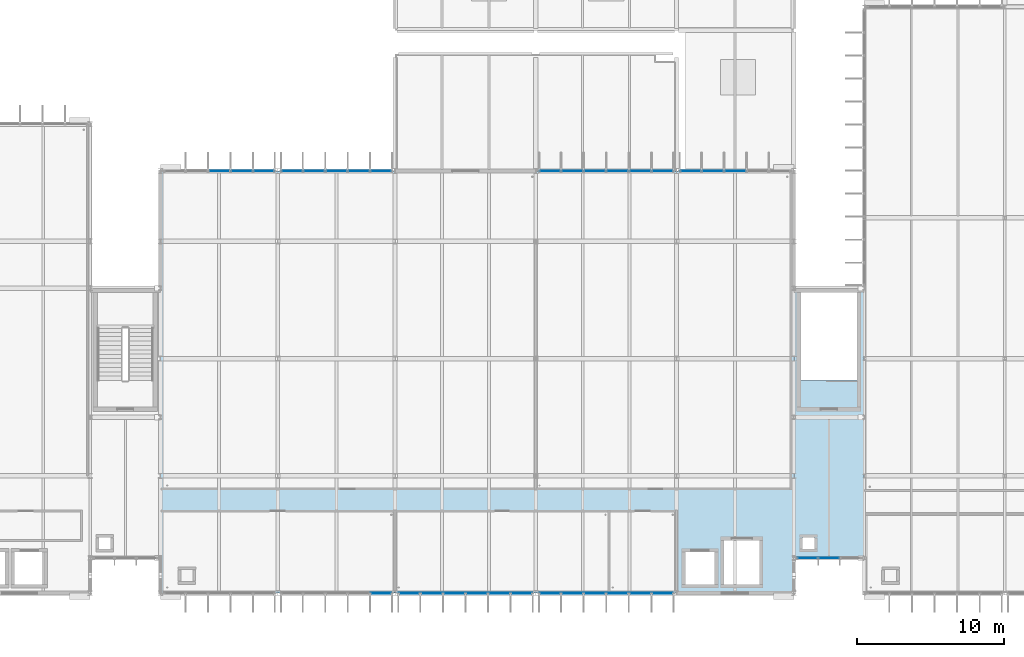
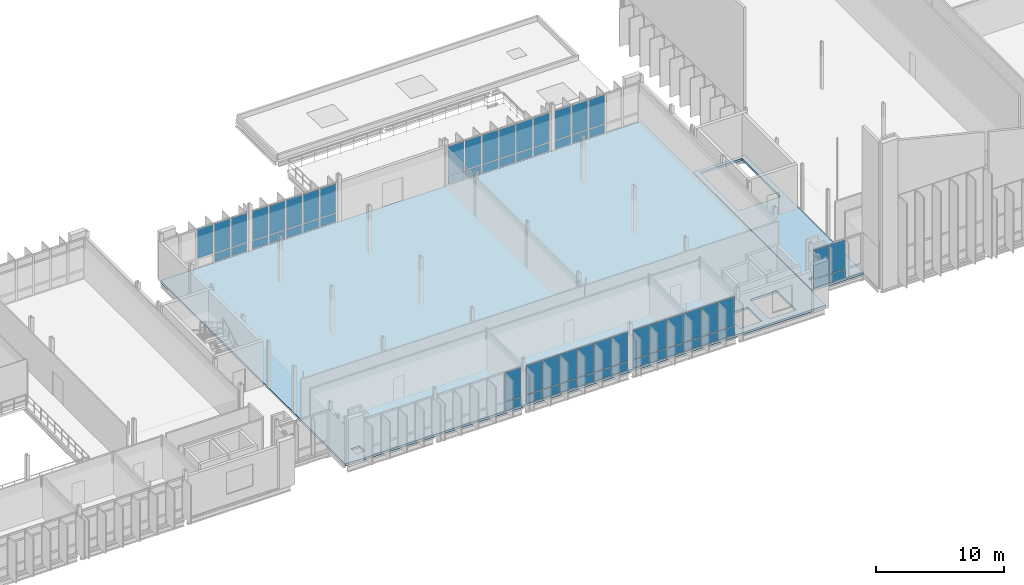
# One storey, part 53 of 110: 63 plates, 2 slabs, 8 elements without a shape of their own.
"""IFC4 building model written with IfcOpenShell, lengths in metres."""

from ifc_helpers import new_model, si_unit, direction, frame, origin, origin_2d, place, context, subcontext, project, spatial, polyline, rectangle, outline, extrude, material, layer, layer_set, type_object, element, aggregate, save


model = new_model("IFC4")

# Units and contexts
model_context = context("Model", 3, precision=1e-05, world=origin(), true_north=direction((0.0, 1.0)))
body_context = subcontext(model_context, "Body", "Model", "MODEL_VIEW")
ifc_project = project(units=[si_unit("LENGTHUNIT", "METRE"), si_unit("AREAUNIT", "SQUARE_METRE"), si_unit("VOLUMEUNIT", "CUBIC_METRE"), si_unit("PLANEANGLEUNIT", "RADIAN"), si_unit("MASSUNIT", "GRAM", prefix="KILO")], contexts=[model_context])

# Site, building, storey
site_placement = place(None, origin())
site = spatial("IfcSite", under=ifc_project, at=site_placement, CompositionType="ELEMENT")
building_placement = place(site_placement, origin())
building = spatial("IfcBuilding", under=site, at=building_placement, Name="Dunescarp Central Library", CompositionType="ELEMENT")
storey_placement = place(building_placement, frame((0.0, 0.0, 9.60009765625)))
storey = spatial("IfcBuildingStorey", under=building, at=storey_placement, Name="L02", CompositionType="ELEMENT", Elevation=9.60009765625)

# Curtain wall, plate
ifc_material_1 = material(Name="Marine-grade anodised aluminium 6063-T6", Category="aluminium")
curtain_wall_type_1 = type_object("IfcCurtainWallType", Name="ARC-CW-STICK", PredefinedType="NOTDEFINED", material=ifc_material_1)
curtain_wall_1_placement = place(storey_placement, origin())
curtain_wall_1 = element("IfcCurtainWall", 1, at=curtain_wall_1_placement, inside=storey, type_object=curtain_wall_type_1, Name="L02 curtain wall CW-V3-091", PredefinedType="NOTDEFINED")
ifc_material_2 = material(Name="Solar-control laminated double glazing", Category="glass")
ifc_layer_1 = layer(ifc_material_2, 0.028076171875)
ifc_layer_set_1 = layer_set([ifc_layer_1], Name="Solar-control laminated double glazing")
plate_type_1 = type_object("IfcPlateType", Name="ARC-PLT-GLZ28", PredefinedType="CURTAIN_PANEL", material=ifc_layer_set_1)
plate_1_placement = place(storey_placement, frame((96.639892578125, 4.800048828125, 0.93994140625), z_axis=(0.0, 0.0, 1.0), x_axis=(-1.0, 0.0, 0.0)))
plate_1 = element("IfcPlate", 2, at=plate_1_placement, type_object=plate_type_1, Name="CW-V3-091 panel 1.2", PredefinedType="CURTAIN_PANEL", context=body_context, shape_type="SweptSolid", body=[
    extrude(rectangle(XDim=1.409912109375, YDim=0.028076171875, at=origin_2d()), origin(), (0.0, 0.0, 1.0), 2.7548828125),
])

# Curtain wall, plates
curtain_wall_2_placement = place(storey_placement, origin())
curtain_wall_2 = element("IfcCurtainWall", 3, at=curtain_wall_2_placement, inside=storey, type_object=curtain_wall_type_1, Name="L02 curtain wall CW-V3-092", PredefinedType="NOTDEFINED")
plate_2_placement = place(storey_placement, frame((106.234130859375, 4.800048828125, 0.93994140625), z_axis=(0.0, 0.0, 1.0), x_axis=(-1.0, 0.0, 0.0)))
plate_2 = element("IfcPlate", 4, at=plate_2_placement, type_object=plate_type_1, Name="CW-V3-092 panel 1.2", PredefinedType="CURTAIN_PANEL", context=body_context, shape_type="SweptSolid", body=[
    extrude(rectangle(XDim=1.421630859375, YDim=0.028076171875, at=origin_2d()), origin(), (0.0, 0.0, 1.0), 2.7548828125),
])
plate_3_placement = place(storey_placement, frame((104.71240234375, 4.800048828125, 0.93994140625), z_axis=(0.0, 0.0, 1.0), x_axis=(-1.0, 0.0, 0.0)))
plate_3 = element("IfcPlate", 5, at=plate_3_placement, type_object=plate_type_1, Name="CW-V3-092 panel 2.2", PredefinedType="CURTAIN_PANEL", context=body_context, shape_type="SweptSolid", body=[
    extrude(rectangle(XDim=1.461669921875, YDim=0.028076171875, at=origin_2d()), origin(), (0.0, 0.0, 1.0), 2.7548828125),
])
plate_4_placement = place(storey_placement, frame((103.1708984375, 4.800048828125, 0.93994140625), z_axis=(0.0, 0.0, 1.0), x_axis=(-1.0, 0.0, 0.0)))
plate_4 = element("IfcPlate", 6, at=plate_4_placement, type_object=plate_type_1, Name="CW-V3-092 panel 3.2", PredefinedType="CURTAIN_PANEL", context=body_context, shape_type="SweptSolid", body=[
    extrude(rectangle(XDim=1.461669921875, YDim=0.028076171875, at=origin_2d()), origin(), (0.0, 0.0, 1.0), 2.7548828125),
])
plate_5_placement = place(storey_placement, frame((101.629150390625, 4.800048828125, 0.93994140625), z_axis=(0.0, 0.0, 1.0), x_axis=(-1.0, 0.0, 0.0)))
plate_5 = element("IfcPlate", 7, at=plate_5_placement, type_object=plate_type_1, Name="CW-V3-092 panel 4.2", PredefinedType="CURTAIN_PANEL", context=body_context, shape_type="SweptSolid", body=[
    extrude(rectangle(XDim=1.461669921875, YDim=0.028076171875, at=origin_2d()), origin(), (0.0, 0.0, 1.0), 2.7548828125),
])
plate_6_placement = place(storey_placement, frame((100.08740234375, 4.800048828125, 0.93994140625), z_axis=(0.0, 0.0, 1.0), x_axis=(-1.0, 0.0, 0.0)))
plate_6 = element("IfcPlate", 8, at=plate_6_placement, type_object=plate_type_1, Name="CW-V3-092 panel 5.2", PredefinedType="CURTAIN_PANEL", context=body_context, shape_type="SweptSolid", body=[
    extrude(rectangle(XDim=1.461669921875, YDim=0.028076171875, at=origin_2d()), origin(), (0.0, 0.0, 1.0), 2.7548828125),
])
plate_7_placement = place(storey_placement, frame((98.56591796875, 4.800048828125, 0.93994140625), z_axis=(0.0, 0.0, 1.0), x_axis=(-1.0, 0.0, 0.0)))
plate_7 = element("IfcPlate", 9, at=plate_7_placement, type_object=plate_type_1, Name="CW-V3-092 panel 6.2", PredefinedType="CURTAIN_PANEL", context=body_context, shape_type="SweptSolid", body=[
    extrude(rectangle(XDim=1.421630859375, YDim=0.028076171875, at=origin_2d()), origin(), (0.0, 0.0, 1.0), 2.7548828125),
])

curtain_wall_3_placement = place(storey_placement, origin())
curtain_wall_3 = element("IfcCurtainWall", 10, at=curtain_wall_3_placement, inside=storey, type_object=curtain_wall_type_1, Name="L02 curtain wall CW-V3-093", PredefinedType="NOTDEFINED")
plate_8_placement = place(storey_placement, frame((115.834228515625, 4.800048828125, 0.93994140625), z_axis=(0.0, 0.0, 1.0), x_axis=(-1.0, 0.0, 0.0)))
plate_8 = element("IfcPlate", 11, at=plate_8_placement, type_object=plate_type_1, Name="CW-V3-093 panel 1.2", PredefinedType="CURTAIN_PANEL", context=body_context, shape_type="SweptSolid", body=[
    extrude(rectangle(XDim=1.421630859375, YDim=0.028076171875, at=origin_2d()), origin(), (0.0, 0.0, 1.0), 2.7548828125),
])
plate_9_placement = place(storey_placement, frame((114.3125, 4.800048828125, 0.93994140625), z_axis=(0.0, 0.0, 1.0), x_axis=(-1.0, 0.0, 0.0)))
plate_9 = element("IfcPlate", 12, at=plate_9_placement, type_object=plate_type_1, Name="CW-V3-093 panel 2.2", PredefinedType="CURTAIN_PANEL", context=body_context, shape_type="SweptSolid", body=[
    extrude(rectangle(XDim=1.461669921875, YDim=0.028076171875, at=origin_2d()), origin(), (0.0, 0.0, 1.0), 2.7548828125),
])
plate_10_placement = place(storey_placement, frame((112.770751953125, 4.800048828125, 0.93994140625), z_axis=(0.0, 0.0, 1.0), x_axis=(-1.0, 0.0, 0.0)))
plate_10 = element("IfcPlate", 13, at=plate_10_placement, type_object=plate_type_1, Name="CW-V3-093 panel 3.2", PredefinedType="CURTAIN_PANEL", context=body_context, shape_type="SweptSolid", body=[
    extrude(rectangle(XDim=1.461669921875, YDim=0.028076171875, at=origin_2d()), origin(), (0.0, 0.0, 1.0), 2.7548828125),
])
plate_11_placement = place(storey_placement, frame((111.229248046875, 4.800048828125, 0.93994140625), z_axis=(0.0, 0.0, 1.0), x_axis=(-1.0, 0.0, 0.0)))
plate_11 = element("IfcPlate", 14, at=plate_11_placement, type_object=plate_type_1, Name="CW-V3-093 panel 4.2", PredefinedType="CURTAIN_PANEL", context=body_context, shape_type="SweptSolid", body=[
    extrude(rectangle(XDim=1.461669921875, YDim=0.028076171875, at=origin_2d()), origin(), (0.0, 0.0, 1.0), 2.7548828125),
])
plate_12_placement = place(storey_placement, frame((109.6875, 4.800048828125, 0.93994140625), z_axis=(0.0, 0.0, 1.0), x_axis=(-1.0, 0.0, 0.0)))
plate_12 = element("IfcPlate", 15, at=plate_12_placement, type_object=plate_type_1, Name="CW-V3-093 panel 5.2", PredefinedType="CURTAIN_PANEL", context=body_context, shape_type="SweptSolid", body=[
    extrude(rectangle(XDim=1.461669921875, YDim=0.028076171875, at=origin_2d()), origin(), (0.0, 0.0, 1.0), 2.7548828125),
])
plate_13_placement = place(storey_placement, frame((108.165771484375, 4.800048828125, 0.93994140625), z_axis=(0.0, 0.0, 1.0), x_axis=(-1.0, 0.0, 0.0)))
plate_13 = element("IfcPlate", 16, at=plate_13_placement, type_object=plate_type_1, Name="CW-V3-093 panel 6.2", PredefinedType="CURTAIN_PANEL", context=body_context, shape_type="SweptSolid", body=[
    extrude(rectangle(XDim=1.421630859375, YDim=0.028076171875, at=origin_2d()), origin(), (0.0, 0.0, 1.0), 2.7548828125),
])

curtain_wall_4_placement = place(storey_placement, origin())
curtain_wall_4 = element("IfcCurtainWall", 17, at=curtain_wall_4_placement, inside=storey, type_object=curtain_wall_type_1, Name="L02 curtain wall CW-V3-094", PredefinedType="NOTDEFINED")
plate_14_placement = place(storey_placement, frame((85.60009765625, 33.60009765625, 0.93994140625), z_axis=(0.0, 0.0, 1.0), x_axis=(1.0, 0.0, 0.0)))
plate_14 = element("IfcPlate", 18, at=plate_14_placement, type_object=plate_type_1, Name="CW-V3-094 panel 3.2", PredefinedType="CURTAIN_PANEL", context=body_context, shape_type="SweptSolid", body=[
    extrude(rectangle(XDim=1.449951171875, YDim=0.028076171875, at=origin_2d()), origin(), (0.0, 0.0, 1.0), 2.7548828125),
])
plate_15_placement = place(storey_placement, frame((87.1298828125, 33.60009765625, 0.93994140625), z_axis=(0.0, 0.0, 1.0), x_axis=(1.0, 0.0, 0.0)))
plate_15 = element("IfcPlate", 19, at=plate_15_placement, type_object=plate_type_1, Name="CW-V3-094 panel 4.2", PredefinedType="CURTAIN_PANEL", context=body_context, shape_type="SweptSolid", body=[
    extrude(rectangle(XDim=1.449951171875, YDim=0.028076171875, at=origin_2d()), origin(), (0.0, 0.0, 1.0), 2.7548828125),
])
plate_16_placement = place(storey_placement, frame((88.639892578125, 33.60009765625, 0.93994140625), z_axis=(0.0, 0.0, 1.0), x_axis=(1.0, 0.0, 0.0)))
plate_16 = element("IfcPlate", 20, at=plate_16_placement, type_object=plate_type_1, Name="CW-V3-094 panel 5.2", PredefinedType="CURTAIN_PANEL", context=body_context, shape_type="SweptSolid", body=[
    extrude(rectangle(XDim=1.409912109375, YDim=0.028076171875, at=origin_2d()), origin(), (0.0, 0.0, 1.0), 2.7548828125),
])

curtain_wall_5_placement = place(storey_placement, origin())
curtain_wall_5 = element("IfcCurtainWall", 21, at=curtain_wall_5_placement, inside=storey, type_object=curtain_wall_type_1, Name="L02 curtain wall CW-V3-095", PredefinedType="NOTDEFINED")
plate_17_placement = place(storey_placement, frame((90.56005859375, 33.60009765625, 0.93994140625), z_axis=(0.0, 0.0, 1.0), x_axis=(1.0, 0.0, 0.0)))
plate_17 = element("IfcPlate", 22, at=plate_17_placement, type_object=plate_type_1, Name="CW-V3-095 panel 1.2", PredefinedType="CURTAIN_PANEL", context=body_context, shape_type="SweptSolid", body=[
    extrude(rectangle(XDim=1.409912109375, YDim=0.028076171875, at=origin_2d()), origin(), (0.0, 0.0, 1.0), 2.7548828125),
])
plate_18_placement = place(storey_placement, frame((92.070068359375, 33.60009765625, 0.93994140625), z_axis=(0.0, 0.0, 1.0), x_axis=(1.0, 0.0, 0.0)))
plate_18 = element("IfcPlate", 23, at=plate_18_placement, type_object=plate_type_1, Name="CW-V3-095 panel 2.2", PredefinedType="CURTAIN_PANEL", context=body_context, shape_type="SweptSolid", body=[
    extrude(rectangle(XDim=1.449951171875, YDim=0.028076171875, at=origin_2d()), origin(), (0.0, 0.0, 1.0), 2.7548828125),
])
plate_19_placement = place(storey_placement, frame((93.60009765625, 33.60009765625, 0.93994140625), z_axis=(0.0, 0.0, 1.0), x_axis=(1.0, 0.0, 0.0)))
plate_19 = element("IfcPlate", 24, at=plate_19_placement, type_object=plate_type_1, Name="CW-V3-095 panel 3.2", PredefinedType="CURTAIN_PANEL", context=body_context, shape_type="SweptSolid", body=[
    extrude(rectangle(XDim=1.449951171875, YDim=0.028076171875, at=origin_2d()), origin(), (0.0, 0.0, 1.0), 2.7548828125),
])
plate_20_placement = place(storey_placement, frame((95.1298828125, 33.60009765625, 0.93994140625), z_axis=(0.0, 0.0, 1.0), x_axis=(1.0, 0.0, 0.0)))
plate_20 = element("IfcPlate", 25, at=plate_20_placement, type_object=plate_type_1, Name="CW-V3-095 panel 4.2", PredefinedType="CURTAIN_PANEL", context=body_context, shape_type="SweptSolid", body=[
    extrude(rectangle(XDim=1.449951171875, YDim=0.028076171875, at=origin_2d()), origin(), (0.0, 0.0, 1.0), 2.7548828125),
])
plate_21_placement = place(storey_placement, frame((96.639892578125, 33.60009765625, 0.93994140625), z_axis=(0.0, 0.0, 1.0), x_axis=(1.0, 0.0, 0.0)))
plate_21 = element("IfcPlate", 26, at=plate_21_placement, type_object=plate_type_1, Name="CW-V3-095 panel 5.2", PredefinedType="CURTAIN_PANEL", context=body_context, shape_type="SweptSolid", body=[
    extrude(rectangle(XDim=1.409912109375, YDim=0.028076171875, at=origin_2d()), origin(), (0.0, 0.0, 1.0), 2.7548828125),
])

curtain_wall_6_placement = place(storey_placement, origin())
curtain_wall_6 = element("IfcCurtainWall", 27, at=curtain_wall_6_placement, inside=storey, type_object=curtain_wall_type_1, Name="L02 curtain wall CW-V3-096", PredefinedType="NOTDEFINED")
plate_22_placement = place(storey_placement, frame((108.165771484375, 33.60009765625, 0.93994140625), z_axis=(0.0, 0.0, 1.0), x_axis=(1.0, 0.0, 0.0)))
plate_22 = element("IfcPlate", 28, at=plate_22_placement, type_object=plate_type_1, Name="CW-V3-096 panel 1.2", PredefinedType="CURTAIN_PANEL", context=body_context, shape_type="SweptSolid", body=[
    extrude(rectangle(XDim=1.421630859375, YDim=0.028076171875, at=origin_2d()), origin(), (0.0, 0.0, 1.0), 2.7548828125),
])
plate_23_placement = place(storey_placement, frame((109.6875, 33.60009765625, 0.93994140625), z_axis=(0.0, 0.0, 1.0), x_axis=(1.0, 0.0, 0.0)))
plate_23 = element("IfcPlate", 29, at=plate_23_placement, type_object=plate_type_1, Name="CW-V3-096 panel 2.2", PredefinedType="CURTAIN_PANEL", context=body_context, shape_type="SweptSolid", body=[
    extrude(rectangle(XDim=1.461669921875, YDim=0.028076171875, at=origin_2d()), origin(), (0.0, 0.0, 1.0), 2.7548828125),
])
plate_24_placement = place(storey_placement, frame((111.229248046875, 33.60009765625, 0.93994140625), z_axis=(0.0, 0.0, 1.0), x_axis=(1.0, 0.0, 0.0)))
plate_24 = element("IfcPlate", 30, at=plate_24_placement, type_object=plate_type_1, Name="CW-V3-096 panel 3.2", PredefinedType="CURTAIN_PANEL", context=body_context, shape_type="SweptSolid", body=[
    extrude(rectangle(XDim=1.461669921875, YDim=0.028076171875, at=origin_2d()), origin(), (0.0, 0.0, 1.0), 2.7548828125),
])
plate_25_placement = place(storey_placement, frame((112.770751953125, 33.60009765625, 0.93994140625), z_axis=(0.0, 0.0, 1.0), x_axis=(1.0, 0.0, 0.0)))
plate_25 = element("IfcPlate", 31, at=plate_25_placement, type_object=plate_type_1, Name="CW-V3-096 panel 4.2", PredefinedType="CURTAIN_PANEL", context=body_context, shape_type="SweptSolid", body=[
    extrude(rectangle(XDim=1.461669921875, YDim=0.028076171875, at=origin_2d()), origin(), (0.0, 0.0, 1.0), 2.7548828125),
])
plate_26_placement = place(storey_placement, frame((114.3125, 33.60009765625, 0.93994140625), z_axis=(0.0, 0.0, 1.0), x_axis=(1.0, 0.0, 0.0)))
plate_26 = element("IfcPlate", 32, at=plate_26_placement, type_object=plate_type_1, Name="CW-V3-096 panel 5.2", PredefinedType="CURTAIN_PANEL", context=body_context, shape_type="SweptSolid", body=[
    extrude(rectangle(XDim=1.461669921875, YDim=0.028076171875, at=origin_2d()), origin(), (0.0, 0.0, 1.0), 2.7548828125),
])
plate_27_placement = place(storey_placement, frame((115.834228515625, 33.60009765625, 0.93994140625), z_axis=(0.0, 0.0, 1.0), x_axis=(1.0, 0.0, 0.0)))
plate_27 = element("IfcPlate", 33, at=plate_27_placement, type_object=plate_type_1, Name="CW-V3-096 panel 6.2", PredefinedType="CURTAIN_PANEL", context=body_context, shape_type="SweptSolid", body=[
    extrude(rectangle(XDim=1.421630859375, YDim=0.028076171875, at=origin_2d()), origin(), (0.0, 0.0, 1.0), 2.7548828125),
])

curtain_wall_7_placement = place(storey_placement, origin())
curtain_wall_7 = element("IfcCurtainWall", 34, at=curtain_wall_7_placement, inside=storey, type_object=curtain_wall_type_1, Name="L02 curtain wall CW-V3-097", PredefinedType="NOTDEFINED")
plate_28_placement = place(storey_placement, frame((117.760009765625, 33.60009765625, 0.93994140625), z_axis=(0.0, 0.0, 1.0), x_axis=(1.0, 0.0, 0.0)))
plate_28 = element("IfcPlate", 35, at=plate_28_placement, type_object=plate_type_1, Name="CW-V3-097 panel 1.2", PredefinedType="CURTAIN_PANEL", context=body_context, shape_type="SweptSolid", body=[
    extrude(rectangle(XDim=1.409912109375, YDim=0.028076171875, at=origin_2d()), origin(), (0.0, 0.0, 1.0), 2.7548828125),
])
plate_29_placement = place(storey_placement, frame((119.27001953125, 33.60009765625, 0.93994140625), z_axis=(0.0, 0.0, 1.0), x_axis=(1.0, 0.0, 0.0)))
plate_29 = element("IfcPlate", 36, at=plate_29_placement, type_object=plate_type_1, Name="CW-V3-097 panel 2.2", PredefinedType="CURTAIN_PANEL", context=body_context, shape_type="SweptSolid", body=[
    extrude(rectangle(XDim=1.449951171875, YDim=0.028076171875, at=origin_2d()), origin(), (0.0, 0.0, 1.0), 2.7548828125),
])
plate_30_placement = place(storey_placement, frame((120.800048828125, 33.60009765625, 0.93994140625), z_axis=(0.0, 0.0, 1.0), x_axis=(1.0, 0.0, 0.0)))
plate_30 = element("IfcPlate", 37, at=plate_30_placement, type_object=plate_type_1, Name="CW-V3-097 panel 3.2", PredefinedType="CURTAIN_PANEL", context=body_context, shape_type="SweptSolid", body=[
    extrude(rectangle(XDim=1.449951171875, YDim=0.028076171875, at=origin_2d()), origin(), (0.0, 0.0, 1.0), 2.7548828125),
])

curtain_wall_type_2 = type_object("IfcCurtainWallType", Name="ARC-CW-LINK", PredefinedType="USERDEFINED", material=ifc_material_1)
curtain_wall_8_placement = place(storey_placement, origin())
curtain_wall_8 = element("IfcCurtainWall", 38, at=curtain_wall_8_placement, inside=storey, type_object=curtain_wall_type_2, Name="L02 curtain wall CW-GL3-S-L02", ObjectType="GLAZED_LINK_WALL", PredefinedType="USERDEFINED")
plate_31_placement = place(storey_placement, frame((127.199951171875, 7.199951171875, 0.93994140625), z_axis=(0.0, 0.0, 1.0), x_axis=(-1.0, 0.0, 0.0)))
plate_31 = element("IfcPlate", 39, at=plate_31_placement, type_object=plate_type_1, Name="CW-GL3-S-L02 panel 2.2", PredefinedType="CURTAIN_PANEL", context=body_context, shape_type="SweptSolid", body=[
    extrude(rectangle(XDim=1.4033203125, YDim=0.028076171875, at=origin_2d()), origin(), (0.0, 0.0, 1.0), 2.7548828125),
])
plate_32_placement = place(storey_placement, frame((125.736572265625, 7.199951171875, 0.93994140625), z_axis=(0.0, 0.0, 1.0), x_axis=(-1.0, 0.0, 0.0)))
plate_32 = element("IfcPlate", 40, at=plate_32_placement, type_object=plate_type_1, Name="CW-GL3-S-L02 panel 3.2", PredefinedType="CURTAIN_PANEL", context=body_context, shape_type="SweptSolid", body=[
    extrude(rectangle(XDim=1.36328125, YDim=0.028076171875, at=origin_2d()), origin(), (0.0, 0.0, 1.0), 2.7548828125),
])

# Plate
ifc_layer_2 = layer(ifc_material_1, 0.050048828125)
ifc_layer_set_2 = layer_set([ifc_layer_2], Name="Marine-grade anodised aluminium 6063-T6")
plate_type_2 = type_object("IfcPlateType", Name="ARC-PLT-SPN50", PredefinedType="SHEET", material=ifc_layer_set_2)
plate_33_placement = place(storey_placement, frame((96.639892578125, 4.800048828125, 0.080078125), z_axis=(0.0, 0.0, 1.0), x_axis=(-1.0, 0.0, 0.0)))
plate_33 = element("IfcPlate", 41, at=plate_33_placement, type_object=plate_type_2, Name="CW-V3-091 panel 1.1", PredefinedType="SHEET", context=body_context, shape_type="SweptSolid", body=[
    extrude(rectangle(XDim=1.409912109375, YDim=0.050048828125, at=origin_2d()), origin(), (0.0, 0.0, 1.0), 0.780029296875),
])

aggregate(curtain_wall_1, [plate_33, plate_1])

plate_34_placement = place(storey_placement, frame((106.234130859375, 4.800048828125, 0.080078125), z_axis=(0.0, 0.0, 1.0), x_axis=(-1.0, 0.0, 0.0)))
plate_34 = element("IfcPlate", 42, at=plate_34_placement, type_object=plate_type_2, Name="CW-V3-092 panel 1.1", PredefinedType="SHEET", context=body_context, shape_type="SweptSolid", body=[
    extrude(rectangle(XDim=1.421630859375, YDim=0.050048828125, at=origin_2d()), origin(), (0.0, 0.0, 1.0), 0.780029296875),
])

plate_35_placement = place(storey_placement, frame((104.71240234375, 4.800048828125, 0.080078125), z_axis=(0.0, 0.0, 1.0), x_axis=(-1.0, 0.0, 0.0)))
plate_35 = element("IfcPlate", 43, at=plate_35_placement, type_object=plate_type_2, Name="CW-V3-092 panel 2.1", PredefinedType="SHEET", context=body_context, shape_type="SweptSolid", body=[
    extrude(rectangle(XDim=1.461669921875, YDim=0.050048828125, at=origin_2d()), origin(), (0.0, 0.0, 1.0), 0.780029296875),
])

plate_36_placement = place(storey_placement, frame((103.1708984375, 4.800048828125, 0.080078125), z_axis=(0.0, 0.0, 1.0), x_axis=(-1.0, 0.0, 0.0)))
plate_36 = element("IfcPlate", 44, at=plate_36_placement, type_object=plate_type_2, Name="CW-V3-092 panel 3.1", PredefinedType="SHEET", context=body_context, shape_type="SweptSolid", body=[
    extrude(rectangle(XDim=1.461669921875, YDim=0.050048828125, at=origin_2d()), origin(), (0.0, 0.0, 1.0), 0.780029296875),
])

plate_37_placement = place(storey_placement, frame((101.629150390625, 4.800048828125, 0.080078125), z_axis=(0.0, 0.0, 1.0), x_axis=(-1.0, 0.0, 0.0)))
plate_37 = element("IfcPlate", 45, at=plate_37_placement, type_object=plate_type_2, Name="CW-V3-092 panel 4.1", PredefinedType="SHEET", context=body_context, shape_type="SweptSolid", body=[
    extrude(rectangle(XDim=1.461669921875, YDim=0.050048828125, at=origin_2d()), origin(), (0.0, 0.0, 1.0), 0.780029296875),
])

plate_38_placement = place(storey_placement, frame((100.08740234375, 4.800048828125, 0.080078125), z_axis=(0.0, 0.0, 1.0), x_axis=(-1.0, 0.0, 0.0)))
plate_38 = element("IfcPlate", 46, at=plate_38_placement, type_object=plate_type_2, Name="CW-V3-092 panel 5.1", PredefinedType="SHEET", context=body_context, shape_type="SweptSolid", body=[
    extrude(rectangle(XDim=1.461669921875, YDim=0.050048828125, at=origin_2d()), origin(), (0.0, 0.0, 1.0), 0.780029296875),
])

plate_39_placement = place(storey_placement, frame((98.56591796875, 4.800048828125, 0.080078125), z_axis=(0.0, 0.0, 1.0), x_axis=(-1.0, 0.0, 0.0)))
plate_39 = element("IfcPlate", 47, at=plate_39_placement, type_object=plate_type_2, Name="CW-V3-092 panel 6.1", PredefinedType="SHEET", context=body_context, shape_type="SweptSolid", body=[
    extrude(rectangle(XDim=1.421630859375, YDim=0.050048828125, at=origin_2d()), origin(), (0.0, 0.0, 1.0), 0.780029296875),
])

aggregate(curtain_wall_2, [plate_34, plate_2, plate_35, plate_3, plate_36, plate_4, plate_37, plate_5, plate_38, plate_6, plate_39, plate_7])

plate_40_placement = place(storey_placement, frame((115.834228515625, 4.800048828125, 0.080078125), z_axis=(0.0, 0.0, 1.0), x_axis=(-1.0, 0.0, 0.0)))
plate_40 = element("IfcPlate", 48, at=plate_40_placement, type_object=plate_type_2, Name="CW-V3-093 panel 1.1", PredefinedType="SHEET", context=body_context, shape_type="SweptSolid", body=[
    extrude(rectangle(XDim=1.421630859375, YDim=0.050048828125, at=origin_2d()), origin(), (0.0, 0.0, 1.0), 0.780029296875),
])

plate_41_placement = place(storey_placement, frame((114.3125, 4.800048828125, 0.080078125), z_axis=(0.0, 0.0, 1.0), x_axis=(-1.0, 0.0, 0.0)))
plate_41 = element("IfcPlate", 49, at=plate_41_placement, type_object=plate_type_2, Name="CW-V3-093 panel 2.1", PredefinedType="SHEET", context=body_context, shape_type="SweptSolid", body=[
    extrude(rectangle(XDim=1.461669921875, YDim=0.050048828125, at=origin_2d()), origin(), (0.0, 0.0, 1.0), 0.780029296875),
])

plate_42_placement = place(storey_placement, frame((112.770751953125, 4.800048828125, 0.080078125), z_axis=(0.0, 0.0, 1.0), x_axis=(-1.0, 0.0, 0.0)))
plate_42 = element("IfcPlate", 50, at=plate_42_placement, type_object=plate_type_2, Name="CW-V3-093 panel 3.1", PredefinedType="SHEET", context=body_context, shape_type="SweptSolid", body=[
    extrude(rectangle(XDim=1.461669921875, YDim=0.050048828125, at=origin_2d()), origin(), (0.0, 0.0, 1.0), 0.780029296875),
])

plate_43_placement = place(storey_placement, frame((111.229248046875, 4.800048828125, 0.080078125), z_axis=(0.0, 0.0, 1.0), x_axis=(-1.0, 0.0, 0.0)))
plate_43 = element("IfcPlate", 51, at=plate_43_placement, type_object=plate_type_2, Name="CW-V3-093 panel 4.1", PredefinedType="SHEET", context=body_context, shape_type="SweptSolid", body=[
    extrude(rectangle(XDim=1.461669921875, YDim=0.050048828125, at=origin_2d()), origin(), (0.0, 0.0, 1.0), 0.780029296875),
])

plate_44_placement = place(storey_placement, frame((109.6875, 4.800048828125, 0.080078125), z_axis=(0.0, 0.0, 1.0), x_axis=(-1.0, 0.0, 0.0)))
plate_44 = element("IfcPlate", 52, at=plate_44_placement, type_object=plate_type_2, Name="CW-V3-093 panel 5.1", PredefinedType="SHEET", context=body_context, shape_type="SweptSolid", body=[
    extrude(rectangle(XDim=1.461669921875, YDim=0.050048828125, at=origin_2d()), origin(), (0.0, 0.0, 1.0), 0.780029296875),
])

plate_45_placement = place(storey_placement, frame((108.165771484375, 4.800048828125, 0.080078125), z_axis=(0.0, 0.0, 1.0), x_axis=(-1.0, 0.0, 0.0)))
plate_45 = element("IfcPlate", 53, at=plate_45_placement, type_object=plate_type_2, Name="CW-V3-093 panel 6.1", PredefinedType="SHEET", context=body_context, shape_type="SweptSolid", body=[
    extrude(rectangle(XDim=1.421630859375, YDim=0.050048828125, at=origin_2d()), origin(), (0.0, 0.0, 1.0), 0.780029296875),
])

aggregate(curtain_wall_3, [plate_40, plate_8, plate_41, plate_9, plate_42, plate_10, plate_43, plate_11, plate_44, plate_12, plate_45, plate_13])

plate_46_placement = place(storey_placement, frame((87.1298828125, 33.60009765625, 0.080078125), z_axis=(0.0, 0.0, 1.0), x_axis=(1.0, 0.0, 0.0)))
plate_46 = element("IfcPlate", 54, at=plate_46_placement, type_object=plate_type_2, Name="CW-V3-094 panel 4.1", PredefinedType="SHEET", context=body_context, shape_type="SweptSolid", body=[
    extrude(rectangle(XDim=1.449951171875, YDim=0.050048828125, at=origin_2d()), origin(), (0.0, 0.0, 1.0), 0.780029296875),
])

plate_47_placement = place(storey_placement, frame((88.639892578125, 33.60009765625, 0.080078125), z_axis=(0.0, 0.0, 1.0), x_axis=(1.0, 0.0, 0.0)))
plate_47 = element("IfcPlate", 55, at=plate_47_placement, type_object=plate_type_2, Name="CW-V3-094 panel 5.1", PredefinedType="SHEET", context=body_context, shape_type="SweptSolid", body=[
    extrude(rectangle(XDim=1.409912109375, YDim=0.050048828125, at=origin_2d()), origin(), (0.0, 0.0, 1.0), 0.780029296875),
])

aggregate(curtain_wall_4, [plate_14, plate_46, plate_15, plate_47, plate_16])

plate_48_placement = place(storey_placement, frame((90.56005859375, 33.60009765625, 0.080078125), z_axis=(0.0, 0.0, 1.0), x_axis=(1.0, 0.0, 0.0)))
plate_48 = element("IfcPlate", 56, at=plate_48_placement, type_object=plate_type_2, Name="CW-V3-095 panel 1.1", PredefinedType="SHEET", context=body_context, shape_type="SweptSolid", body=[
    extrude(rectangle(XDim=1.409912109375, YDim=0.050048828125, at=origin_2d()), origin(), (0.0, 0.0, 1.0), 0.780029296875),
])

plate_49_placement = place(storey_placement, frame((92.070068359375, 33.60009765625, 0.080078125), z_axis=(0.0, 0.0, 1.0), x_axis=(1.0, 0.0, 0.0)))
plate_49 = element("IfcPlate", 57, at=plate_49_placement, type_object=plate_type_2, Name="CW-V3-095 panel 2.1", PredefinedType="SHEET", context=body_context, shape_type="SweptSolid", body=[
    extrude(rectangle(XDim=1.449951171875, YDim=0.050048828125, at=origin_2d()), origin(), (0.0, 0.0, 1.0), 0.780029296875),
])

plate_50_placement = place(storey_placement, frame((93.60009765625, 33.60009765625, 0.080078125), z_axis=(0.0, 0.0, 1.0), x_axis=(1.0, 0.0, 0.0)))
plate_50 = element("IfcPlate", 58, at=plate_50_placement, type_object=plate_type_2, Name="CW-V3-095 panel 3.1", PredefinedType="SHEET", context=body_context, shape_type="SweptSolid", body=[
    extrude(rectangle(XDim=1.449951171875, YDim=0.050048828125, at=origin_2d()), origin(), (0.0, 0.0, 1.0), 0.780029296875),
])

plate_51_placement = place(storey_placement, frame((95.1298828125, 33.60009765625, 0.080078125), z_axis=(0.0, 0.0, 1.0), x_axis=(1.0, 0.0, 0.0)))
plate_51 = element("IfcPlate", 59, at=plate_51_placement, type_object=plate_type_2, Name="CW-V3-095 panel 4.1", PredefinedType="SHEET", context=body_context, shape_type="SweptSolid", body=[
    extrude(rectangle(XDim=1.449951171875, YDim=0.050048828125, at=origin_2d()), origin(), (0.0, 0.0, 1.0), 0.780029296875),
])

plate_52_placement = place(storey_placement, frame((96.639892578125, 33.60009765625, 0.080078125), z_axis=(0.0, 0.0, 1.0), x_axis=(1.0, 0.0, 0.0)))
plate_52 = element("IfcPlate", 60, at=plate_52_placement, type_object=plate_type_2, Name="CW-V3-095 panel 5.1", PredefinedType="SHEET", context=body_context, shape_type="SweptSolid", body=[
    extrude(rectangle(XDim=1.409912109375, YDim=0.050048828125, at=origin_2d()), origin(), (0.0, 0.0, 1.0), 0.780029296875),
])

aggregate(curtain_wall_5, [plate_48, plate_17, plate_49, plate_18, plate_50, plate_19, plate_51, plate_20, plate_52, plate_21])

plate_53_placement = place(storey_placement, frame((108.165771484375, 33.60009765625, 0.080078125), z_axis=(0.0, 0.0, 1.0), x_axis=(1.0, 0.0, 0.0)))
plate_53 = element("IfcPlate", 61, at=plate_53_placement, type_object=plate_type_2, Name="CW-V3-096 panel 1.1", PredefinedType="SHEET", context=body_context, shape_type="SweptSolid", body=[
    extrude(rectangle(XDim=1.421630859375, YDim=0.050048828125, at=origin_2d()), origin(), (0.0, 0.0, 1.0), 0.780029296875),
])

plate_54_placement = place(storey_placement, frame((109.6875, 33.60009765625, 0.080078125), z_axis=(0.0, 0.0, 1.0), x_axis=(1.0, 0.0, 0.0)))
plate_54 = element("IfcPlate", 62, at=plate_54_placement, type_object=plate_type_2, Name="CW-V3-096 panel 2.1", PredefinedType="SHEET", context=body_context, shape_type="SweptSolid", body=[
    extrude(rectangle(XDim=1.461669921875, YDim=0.050048828125, at=origin_2d()), origin(), (0.0, 0.0, 1.0), 0.780029296875),
])

plate_55_placement = place(storey_placement, frame((111.229248046875, 33.60009765625, 0.080078125), z_axis=(0.0, 0.0, 1.0), x_axis=(1.0, 0.0, 0.0)))
plate_55 = element("IfcPlate", 63, at=plate_55_placement, type_object=plate_type_2, Name="CW-V3-096 panel 3.1", PredefinedType="SHEET", context=body_context, shape_type="SweptSolid", body=[
    extrude(rectangle(XDim=1.461669921875, YDim=0.050048828125, at=origin_2d()), origin(), (0.0, 0.0, 1.0), 0.780029296875),
])

plate_56_placement = place(storey_placement, frame((112.770751953125, 33.60009765625, 0.080078125), z_axis=(0.0, 0.0, 1.0), x_axis=(1.0, 0.0, 0.0)))
plate_56 = element("IfcPlate", 64, at=plate_56_placement, type_object=plate_type_2, Name="CW-V3-096 panel 4.1", PredefinedType="SHEET", context=body_context, shape_type="SweptSolid", body=[
    extrude(rectangle(XDim=1.461669921875, YDim=0.050048828125, at=origin_2d()), origin(), (0.0, 0.0, 1.0), 0.780029296875),
])

plate_57_placement = place(storey_placement, frame((114.3125, 33.60009765625, 0.080078125), z_axis=(0.0, 0.0, 1.0), x_axis=(1.0, 0.0, 0.0)))
plate_57 = element("IfcPlate", 65, at=plate_57_placement, type_object=plate_type_2, Name="CW-V3-096 panel 5.1", PredefinedType="SHEET", context=body_context, shape_type="SweptSolid", body=[
    extrude(rectangle(XDim=1.461669921875, YDim=0.050048828125, at=origin_2d()), origin(), (0.0, 0.0, 1.0), 0.780029296875),
])

plate_58_placement = place(storey_placement, frame((115.834228515625, 33.60009765625, 0.080078125), z_axis=(0.0, 0.0, 1.0), x_axis=(1.0, 0.0, 0.0)))
plate_58 = element("IfcPlate", 66, at=plate_58_placement, type_object=plate_type_2, Name="CW-V3-096 panel 6.1", PredefinedType="SHEET", context=body_context, shape_type="SweptSolid", body=[
    extrude(rectangle(XDim=1.421630859375, YDim=0.050048828125, at=origin_2d()), origin(), (0.0, 0.0, 1.0), 0.780029296875),
])

aggregate(curtain_wall_6, [plate_53, plate_22, plate_54, plate_23, plate_55, plate_24, plate_56, plate_25, plate_57, plate_26, plate_58, plate_27])

plate_59_placement = place(storey_placement, frame((117.760009765625, 33.60009765625, 0.080078125), z_axis=(0.0, 0.0, 1.0), x_axis=(1.0, 0.0, 0.0)))
plate_59 = element("IfcPlate", 67, at=plate_59_placement, type_object=plate_type_2, Name="CW-V3-097 panel 1.1", PredefinedType="SHEET", context=body_context, shape_type="SweptSolid", body=[
    extrude(rectangle(XDim=1.409912109375, YDim=0.050048828125, at=origin_2d()), origin(), (0.0, 0.0, 1.0), 0.780029296875),
])

plate_60_placement = place(storey_placement, frame((119.27001953125, 33.60009765625, 0.080078125), z_axis=(0.0, 0.0, 1.0), x_axis=(1.0, 0.0, 0.0)))
plate_60 = element("IfcPlate", 68, at=plate_60_placement, type_object=plate_type_2, Name="CW-V3-097 panel 2.1", PredefinedType="SHEET", context=body_context, shape_type="SweptSolid", body=[
    extrude(rectangle(XDim=1.449951171875, YDim=0.050048828125, at=origin_2d()), origin(), (0.0, 0.0, 1.0), 0.780029296875),
])

plate_61_placement = place(storey_placement, frame((120.800048828125, 33.60009765625, 0.080078125), z_axis=(0.0, 0.0, 1.0), x_axis=(1.0, 0.0, 0.0)))
plate_61 = element("IfcPlate", 69, at=plate_61_placement, type_object=plate_type_2, Name="CW-V3-097 panel 3.1", PredefinedType="SHEET", context=body_context, shape_type="SweptSolid", body=[
    extrude(rectangle(XDim=1.449951171875, YDim=0.050048828125, at=origin_2d()), origin(), (0.0, 0.0, 1.0), 0.780029296875),
])

aggregate(curtain_wall_7, [plate_59, plate_28, plate_60, plate_29, plate_61, plate_30])

plate_62_placement = place(storey_placement, frame((127.199951171875, 7.199951171875, 0.080078125), z_axis=(0.0, 0.0, 1.0), x_axis=(-1.0, 0.0, 0.0)))
plate_62 = element("IfcPlate", 70, at=plate_62_placement, type_object=plate_type_2, Name="CW-GL3-S-L02 panel 2.1", PredefinedType="SHEET", context=body_context, shape_type="SweptSolid", body=[
    extrude(rectangle(XDim=1.4033203125, YDim=0.050048828125, at=origin_2d()), origin(), (0.0, 0.0, 1.0), 0.780029296875),
])

plate_63_placement = place(storey_placement, frame((125.736572265625, 7.199951171875, 0.080078125), z_axis=(0.0, 0.0, 1.0), x_axis=(-1.0, 0.0, 0.0)))
plate_63 = element("IfcPlate", 71, at=plate_63_placement, type_object=plate_type_2, Name="CW-GL3-S-L02 panel 3.1", PredefinedType="SHEET", context=body_context, shape_type="SweptSolid", body=[
    extrude(rectangle(XDim=1.36328125, YDim=0.050048828125, at=origin_2d()), origin(), (0.0, 0.0, 1.0), 0.780029296875),
])

aggregate(curtain_wall_8, [plate_62, plate_31, plate_63, plate_32])

# Slabs
ifc_material_3 = material(Name="Concrete C35/45", Category="concrete")
ifc_layer_3 = layer(ifc_material_3, 0.2099609375)
ifc_layer_set_3 = layer_set([ifc_layer_3], Name="Concrete C35/45")
slab_type = type_object("IfcSlabType", Name="STR-SLB-READ210", PredefinedType="FLOOR", material=ifc_layer_set_3)
slab_1_placement = place(storey_placement, frame((0.0, 0.0, -0.210205078125)))
element("IfcSlab", 72, at=slab_1_placement, inside=storey, type_object=slab_type, Name="L02 V3 slab", PredefinedType="FLOOR", context=body_context, shape_type="SweptSolid", body=[
    extrude(outline(polyline([(81.60009765625, 4.800048828125), (124.800048828125, 4.800048828125), (124.800048828125, 33.60009765625), (81.60009765625, 33.60009765625), (81.60009765625, 4.800048828125)]), holes=[polyline([(117.39990234375, 5.39990234375), (119.39990234375, 5.39990234375), (119.39990234375, 7.60009765625), (117.39990234375, 7.60009765625), (117.39990234375, 5.39990234375)]), polyline([(120.050048828125, 5.39990234375), (122.449951171875, 5.39990234375), (122.449951171875, 8.39990234375), (120.050048828125, 8.39990234375), (120.050048828125, 5.39990234375)]), polyline([(83.0, 5.60009765625), (83.800048828125, 5.60009765625), (83.800048828125, 6.39990234375), (83.0, 6.39990234375), (83.0, 5.60009765625)])]), origin(), (0.0, 0.0, 1.0), 0.210205078125),
])
slab_2_placement = place(storey_placement, frame((0.0, 0.0, -0.210205078125)))
element("IfcSlab", 73, at=slab_2_placement, inside=storey, type_object=slab_type, Name="L02 GL3 slab", PredefinedType="FLOOR", context=body_context, shape_type="SweptSolid", body=[
    extrude(outline(polyline([(124.85009765625, 7.199951171875), (129.550048828125, 7.199951171875), (129.550048828125, 25.60009765625), (124.85009765625, 25.60009765625), (124.85009765625, 7.199951171875)]), holes=[polyline([(125.300048828125, 19.31494140625), (129.10009765625, 19.31494140625), (129.10009765625, 25.300048828125), (125.300048828125, 25.300048828125), (125.300048828125, 19.31494140625)]), polyline([(125.39990234375, 7.800048828125), (126.199951171875, 7.800048828125), (126.199951171875, 8.60009765625), (125.39990234375, 8.60009765625), (125.39990234375, 7.800048828125)])]), origin(), (0.0, 0.0, 1.0), 0.210205078125),
])

save(model, "model.ifc")
